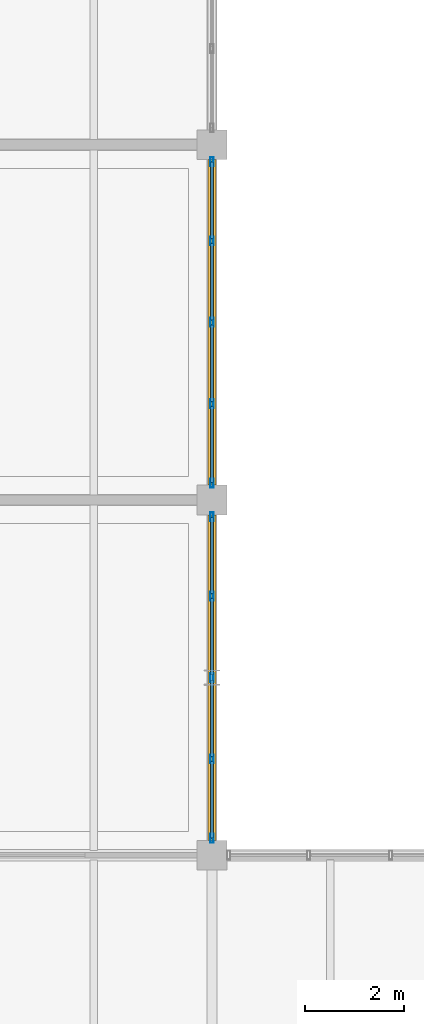
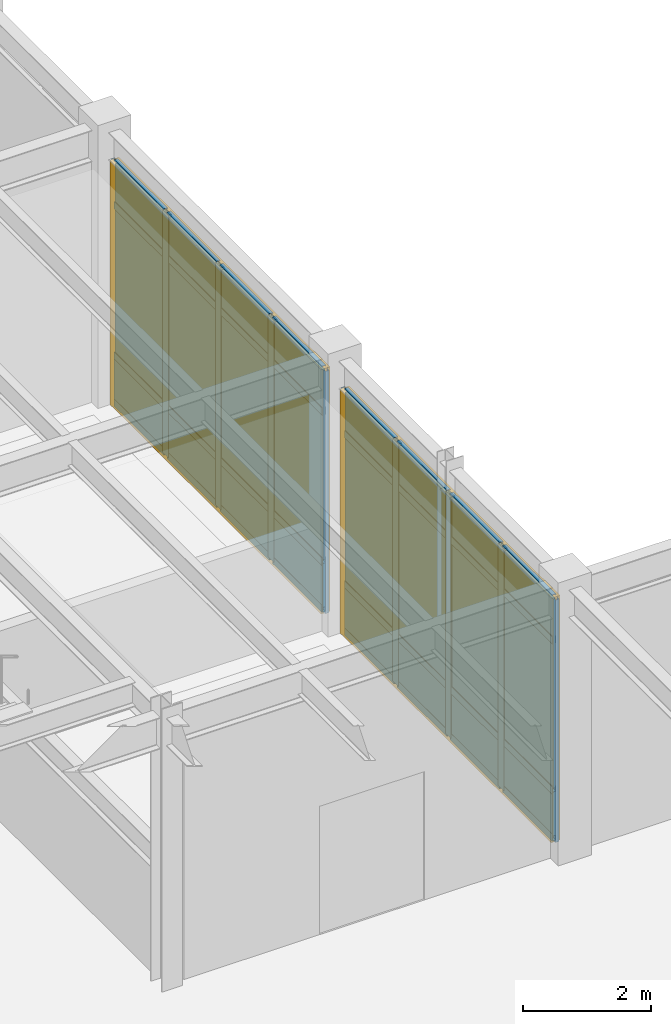
# One storey, part 81 of 97: 42 members, 16 plates, 2 curtain walls.
"""IFC4 building model written with IfcOpenShell, lengths in metres."""

from ifc_helpers import new_model, si_unit, direction, frame, origin, origin_2d, place, context, subcontext, project, spatial, rectangle, hollow_rectangle, extrude, material, layer, layer_set, material_profile, profile_set, type_object, element, aggregate, save


model = new_model("IFC4")

# Units and contexts
model_context = context("Model", 3, precision=1e-05, world=origin(), true_north=direction((0.0, 1.0)))
body_context = subcontext(model_context, "Body", "Model", "MODEL_VIEW")
ifc_project = project(units=[si_unit("LENGTHUNIT", "METRE"), si_unit("AREAUNIT", "SQUARE_METRE"), si_unit("VOLUMEUNIT", "CUBIC_METRE"), si_unit("PLANEANGLEUNIT", "RADIAN"), si_unit("MASSUNIT", "GRAM", prefix="KILO")], contexts=[model_context])

# Member
ifc_material_1 = material(Name="Anodized Aluminium 6063-T6", Category="aluminium")
ifc_material_profile_1 = material_profile(ifc_material_1, hollow_rectangle(XDim=0.06494140625, YDim=0.179931640625, WallThickness=0.00390625, at=origin_2d()), Name="ALU 65x180x4")
ifc_profile_set_1 = profile_set([ifc_material_profile_1], Name="Anodized Aluminium 6063-T6")
member_type_1 = type_object("IfcMemberType", Name="CWM-65X150", PredefinedType="MULLION", material=ifc_profile_set_1)
site_placement = place(None, origin())
building_placement = place(site_placement, origin())
storey_placement = place(building_placement, origin())
member_1_placement = place(storey_placement, frame((144.0, 35.659912109375, 0.02001953125), z_axis=(0.0, 0.0, 1.0), x_axis=(1.0, 0.0, 0.0)))
member_1 = element("IfcMember", 1, at=member_1_placement, type_object=member_type_1, Name="Curtain wall mullion CW-L01-19-04-E-00", PredefinedType="MULLION", context=body_context, shape_type="SweptSolid", body=[
    extrude(hollow_rectangle(XDim=0.06494140625, YDim=0.179931640625, WallThickness=0.00390625, at=origin_2d()), origin(), (0.0, 0.0, 1.0), 4.626953125),
])

member_2_placement = place(storey_placement, frame((144.0, 34.050048828125, 0.02001953125), z_axis=(0.0, 0.0, 1.0), x_axis=(1.0, 0.0, 0.0)))
member_2 = element("IfcMember", 2, at=member_2_placement, type_object=member_type_1, Name="Curtain wall mullion CW-L01-19-04-E-01", PredefinedType="MULLION", context=body_context, shape_type="SweptSolid", body=[
    extrude(hollow_rectangle(XDim=0.06494140625, YDim=0.179931640625, WallThickness=0.00390625, at=origin_2d()), origin(), (0.0, 0.0, 1.0), 4.626953125),
])

member_3_placement = place(storey_placement, frame((144.0, 32.39990234375, 0.02001953125), z_axis=(0.0, 0.0, 1.0), x_axis=(1.0, 0.0, 0.0)))
member_3 = element("IfcMember", 3, at=member_3_placement, type_object=member_type_1, Name="Curtain wall mullion CW-L01-19-04-E-02", PredefinedType="MULLION", context=body_context, shape_type="SweptSolid", body=[
    extrude(hollow_rectangle(XDim=0.06494140625, YDim=0.179931640625, WallThickness=0.00390625, at=origin_2d()), origin(), (0.0, 0.0, 1.0), 4.626953125),
])

member_4_placement = place(storey_placement, frame((144.0, 30.75, 0.02001953125), z_axis=(0.0, 0.0, 1.0), x_axis=(1.0, 0.0, 0.0)))
member_4 = element("IfcMember", 4, at=member_4_placement, type_object=member_type_1, Name="Curtain wall mullion CW-L01-19-04-E-03", PredefinedType="MULLION", context=body_context, shape_type="SweptSolid", body=[
    extrude(hollow_rectangle(XDim=0.06494140625, YDim=0.179931640625, WallThickness=0.00390625, at=origin_2d()), origin(), (0.0, 0.0, 1.0), 4.626953125),
])

member_5_placement = place(storey_placement, frame((144.0, 29.139892578125, 0.02001953125), z_axis=(0.0, 0.0, 1.0), x_axis=(1.0, 0.0, 0.0)))
member_5 = element("IfcMember", 5, at=member_5_placement, type_object=member_type_1, Name="Curtain wall mullion CW-L01-19-04-E-04", PredefinedType="MULLION", context=body_context, shape_type="SweptSolid", body=[
    extrude(hollow_rectangle(XDim=0.06494140625, YDim=0.179931640625, WallThickness=0.00390625, at=origin_2d()), origin(), (0.0, 0.0, 1.0), 4.626953125),
])

member_6_placement = place(storey_placement, frame((144.0, 42.860107421875, 0.02001953125), z_axis=(0.0, 0.0, 1.0), x_axis=(1.0, 0.0, 0.0)))
member_6 = element("IfcMember", 6, at=member_6_placement, type_object=member_type_1, Name="Curtain wall mullion CW-L01-19-05-E-00", PredefinedType="MULLION", context=body_context, shape_type="SweptSolid", body=[
    extrude(hollow_rectangle(XDim=0.06494140625, YDim=0.179931640625, WallThickness=0.00390625, at=origin_2d()), origin(), (0.0, 0.0, 1.0), 4.626953125),
])

member_7_placement = place(storey_placement, frame((144.0, 41.25, 0.02001953125), z_axis=(0.0, 0.0, 1.0), x_axis=(1.0, 0.0, 0.0)))
member_7 = element("IfcMember", 7, at=member_7_placement, type_object=member_type_1, Name="Curtain wall mullion CW-L01-19-05-E-01", PredefinedType="MULLION", context=body_context, shape_type="SweptSolid", body=[
    extrude(hollow_rectangle(XDim=0.06494140625, YDim=0.179931640625, WallThickness=0.00390625, at=origin_2d()), origin(), (0.0, 0.0, 1.0), 4.626953125),
])

member_8_placement = place(storey_placement, frame((144.0, 39.60009765625, 0.02001953125), z_axis=(0.0, 0.0, 1.0), x_axis=(1.0, 0.0, 0.0)))
member_8 = element("IfcMember", 8, at=member_8_placement, type_object=member_type_1, Name="Curtain wall mullion CW-L01-19-05-E-02", PredefinedType="MULLION", context=body_context, shape_type="SweptSolid", body=[
    extrude(hollow_rectangle(XDim=0.06494140625, YDim=0.179931640625, WallThickness=0.00390625, at=origin_2d()), origin(), (0.0, 0.0, 1.0), 4.626953125),
])

member_9_placement = place(storey_placement, frame((144.0, 37.949951171875, 0.02001953125), z_axis=(0.0, 0.0, 1.0), x_axis=(1.0, 0.0, 0.0)))
member_9 = element("IfcMember", 9, at=member_9_placement, type_object=member_type_1, Name="Curtain wall mullion CW-L01-19-05-E-03", PredefinedType="MULLION", context=body_context, shape_type="SweptSolid", body=[
    extrude(hollow_rectangle(XDim=0.06494140625, YDim=0.179931640625, WallThickness=0.00390625, at=origin_2d()), origin(), (0.0, 0.0, 1.0), 4.626953125),
])

member_10_placement = place(storey_placement, frame((144.0, 36.340087890625, 0.02001953125), z_axis=(0.0, 0.0, 1.0), x_axis=(1.0, 0.0, 0.0)))
member_10 = element("IfcMember", 10, at=member_10_placement, type_object=member_type_1, Name="Curtain wall mullion CW-L01-19-05-E-04", PredefinedType="MULLION", context=body_context, shape_type="SweptSolid", body=[
    extrude(hollow_rectangle(XDim=0.06494140625, YDim=0.179931640625, WallThickness=0.00390625, at=origin_2d()), origin(), (0.0, 0.0, 1.0), 4.626953125),
])

ifc_material_profile_2 = material_profile(ifc_material_1, hollow_rectangle(XDim=0.06494140625, YDim=0.139892578125, WallThickness=0.00390625, at=origin_2d()), Name="ALU 65x140x4")
ifc_profile_set_2 = profile_set([ifc_material_profile_2], Name="Anodized Aluminium 6063-T6")
member_type_2 = type_object("IfcMemberType", Name="CWT-65X120", PredefinedType="USERDEFINED", material=ifc_profile_set_2)
member_11_placement = place(storey_placement, frame((144.0, 35.64990234375, 0.050048828125), z_axis=(0.0, -1.0, 0.0), x_axis=(1.0, 0.0, 0.0)))
member_11 = element("IfcMember", 11, at=member_11_placement, type_object=member_type_2, Name="Curtain wall transom CW-L01-19-04-E-1.01", ObjectType="TRANSOM", PredefinedType="USERDEFINED", context=body_context, shape_type="SweptSolid", body=[
    extrude(hollow_rectangle(XDim=0.06494140625, YDim=0.139892578125, WallThickness=0.00390625, at=origin_2d()), origin(), (0.0, 0.0, 1.0), 1.5498046875),
])

member_12_placement = place(storey_placement, frame((144.0, 34.0, 0.050048828125), z_axis=(0.0, -1.0, 0.0), x_axis=(1.0, 0.0, 0.0)))
member_12 = element("IfcMember", 12, at=member_12_placement, type_object=member_type_2, Name="Curtain wall transom CW-L01-19-04-E-1.02", ObjectType="TRANSOM", PredefinedType="USERDEFINED", context=body_context, shape_type="SweptSolid", body=[
    extrude(hollow_rectangle(XDim=0.06494140625, YDim=0.139892578125, WallThickness=0.00390625, at=origin_2d()), origin(), (0.0, 0.0, 1.0), 1.550048828125),
])

member_13_placement = place(storey_placement, frame((144.0, 32.35009765625, 0.050048828125), z_axis=(0.0, -1.0, 0.0), x_axis=(1.0, 0.0, 0.0)))
member_13 = element("IfcMember", 13, at=member_13_placement, type_object=member_type_2, Name="Curtain wall transom CW-L01-19-04-E-1.03", ObjectType="TRANSOM", PredefinedType="USERDEFINED", context=body_context, shape_type="SweptSolid", body=[
    extrude(hollow_rectangle(XDim=0.06494140625, YDim=0.139892578125, WallThickness=0.00390625, at=origin_2d()), origin(), (0.0, 0.0, 1.0), 1.550048828125),
])

member_14_placement = place(storey_placement, frame((144.0, 30.699951171875, 0.050048828125), z_axis=(0.0, -1.0, 0.0), x_axis=(1.0, 0.0, 0.0)))
member_14 = element("IfcMember", 14, at=member_14_placement, type_object=member_type_2, Name="Curtain wall transom CW-L01-19-04-E-1.04", ObjectType="TRANSOM", PredefinedType="USERDEFINED", context=body_context, shape_type="SweptSolid", body=[
    extrude(hollow_rectangle(XDim=0.06494140625, YDim=0.139892578125, WallThickness=0.00390625, at=origin_2d()), origin(), (0.0, 0.0, 1.0), 1.550048828125),
])

member_15_placement = place(storey_placement, frame((144.0, 35.64990234375, 0.949951171875), z_axis=(0.0, -1.0, 0.0), x_axis=(1.0, 0.0, 0.0)))
member_15 = element("IfcMember", 15, at=member_15_placement, type_object=member_type_2, Name="Curtain wall transom CW-L01-19-04-E-2.01", ObjectType="TRANSOM", PredefinedType="USERDEFINED", context=body_context, shape_type="SweptSolid", body=[
    extrude(hollow_rectangle(XDim=0.06494140625, YDim=0.139892578125, WallThickness=0.00390625, at=origin_2d()), origin(), (0.0, 0.0, 1.0), 1.5498046875),
])

member_16_placement = place(storey_placement, frame((144.0, 34.0, 0.949951171875), z_axis=(0.0, -1.0, 0.0), x_axis=(1.0, 0.0, 0.0)))
member_16 = element("IfcMember", 16, at=member_16_placement, type_object=member_type_2, Name="Curtain wall transom CW-L01-19-04-E-2.02", ObjectType="TRANSOM", PredefinedType="USERDEFINED", context=body_context, shape_type="SweptSolid", body=[
    extrude(hollow_rectangle(XDim=0.06494140625, YDim=0.139892578125, WallThickness=0.00390625, at=origin_2d()), origin(), (0.0, 0.0, 1.0), 1.550048828125),
])

member_17_placement = place(storey_placement, frame((144.0, 32.35009765625, 0.949951171875), z_axis=(0.0, -1.0, 0.0), x_axis=(1.0, 0.0, 0.0)))
member_17 = element("IfcMember", 17, at=member_17_placement, type_object=member_type_2, Name="Curtain wall transom CW-L01-19-04-E-2.03", ObjectType="TRANSOM", PredefinedType="USERDEFINED", context=body_context, shape_type="SweptSolid", body=[
    extrude(hollow_rectangle(XDim=0.06494140625, YDim=0.139892578125, WallThickness=0.00390625, at=origin_2d()), origin(), (0.0, 0.0, 1.0), 1.550048828125),
])

member_18_placement = place(storey_placement, frame((144.0, 30.699951171875, 0.949951171875), z_axis=(0.0, -1.0, 0.0), x_axis=(1.0, 0.0, 0.0)))
member_18 = element("IfcMember", 18, at=member_18_placement, type_object=member_type_2, Name="Curtain wall transom CW-L01-19-04-E-2.04", ObjectType="TRANSOM", PredefinedType="USERDEFINED", context=body_context, shape_type="SweptSolid", body=[
    extrude(hollow_rectangle(XDim=0.06494140625, YDim=0.139892578125, WallThickness=0.00390625, at=origin_2d()), origin(), (0.0, 0.0, 1.0), 1.550048828125),
])

member_19_placement = place(storey_placement, frame((144.0, 35.64990234375, 3.81689453125), z_axis=(0.0, -1.0, 0.0), x_axis=(1.0, 0.0, 0.0)))
member_19 = element("IfcMember", 19, at=member_19_placement, type_object=member_type_2, Name="Curtain wall transom CW-L01-19-04-E-3.01", ObjectType="TRANSOM", PredefinedType="USERDEFINED", context=body_context, shape_type="SweptSolid", body=[
    extrude(hollow_rectangle(XDim=0.06494140625, YDim=0.139892578125, WallThickness=0.00390625, at=origin_2d()), origin(), (0.0, 0.0, 1.0), 1.5498046875),
])

member_20_placement = place(storey_placement, frame((144.0, 34.0, 3.81689453125), z_axis=(0.0, -1.0, 0.0), x_axis=(1.0, 0.0, 0.0)))
member_20 = element("IfcMember", 20, at=member_20_placement, type_object=member_type_2, Name="Curtain wall transom CW-L01-19-04-E-3.02", ObjectType="TRANSOM", PredefinedType="USERDEFINED", context=body_context, shape_type="SweptSolid", body=[
    extrude(hollow_rectangle(XDim=0.06494140625, YDim=0.139892578125, WallThickness=0.00390625, at=origin_2d()), origin(), (0.0, 0.0, 1.0), 1.550048828125),
])

member_21_placement = place(storey_placement, frame((144.0, 32.35009765625, 3.81689453125), z_axis=(0.0, -1.0, 0.0), x_axis=(1.0, 0.0, 0.0)))
member_21 = element("IfcMember", 21, at=member_21_placement, type_object=member_type_2, Name="Curtain wall transom CW-L01-19-04-E-3.03", ObjectType="TRANSOM", PredefinedType="USERDEFINED", context=body_context, shape_type="SweptSolid", body=[
    extrude(hollow_rectangle(XDim=0.06494140625, YDim=0.139892578125, WallThickness=0.00390625, at=origin_2d()), origin(), (0.0, 0.0, 1.0), 1.550048828125),
])

member_22_placement = place(storey_placement, frame((144.0, 30.699951171875, 3.81689453125), z_axis=(0.0, -1.0, 0.0), x_axis=(1.0, 0.0, 0.0)))
member_22 = element("IfcMember", 22, at=member_22_placement, type_object=member_type_2, Name="Curtain wall transom CW-L01-19-04-E-3.04", ObjectType="TRANSOM", PredefinedType="USERDEFINED", context=body_context, shape_type="SweptSolid", body=[
    extrude(hollow_rectangle(XDim=0.06494140625, YDim=0.139892578125, WallThickness=0.00390625, at=origin_2d()), origin(), (0.0, 0.0, 1.0), 1.550048828125),
])

member_23_placement = place(storey_placement, frame((144.0, 35.64990234375, 4.616943359375), z_axis=(0.0, -1.0, 0.0), x_axis=(1.0, 0.0, 0.0)))
member_23 = element("IfcMember", 23, at=member_23_placement, type_object=member_type_2, Name="Curtain wall transom CW-L01-19-04-E-4.01", ObjectType="TRANSOM", PredefinedType="USERDEFINED", context=body_context, shape_type="SweptSolid", body=[
    extrude(hollow_rectangle(XDim=0.06494140625, YDim=0.139892578125, WallThickness=0.00390625, at=origin_2d()), origin(), (0.0, 0.0, 1.0), 1.5498046875),
])

member_24_placement = place(storey_placement, frame((144.0, 34.0, 4.616943359375), z_axis=(0.0, -1.0, 0.0), x_axis=(1.0, 0.0, 0.0)))
member_24 = element("IfcMember", 24, at=member_24_placement, type_object=member_type_2, Name="Curtain wall transom CW-L01-19-04-E-4.02", ObjectType="TRANSOM", PredefinedType="USERDEFINED", context=body_context, shape_type="SweptSolid", body=[
    extrude(hollow_rectangle(XDim=0.06494140625, YDim=0.139892578125, WallThickness=0.00390625, at=origin_2d()), origin(), (0.0, 0.0, 1.0), 1.550048828125),
])

member_25_placement = place(storey_placement, frame((144.0, 32.35009765625, 4.616943359375), z_axis=(0.0, -1.0, 0.0), x_axis=(1.0, 0.0, 0.0)))
member_25 = element("IfcMember", 25, at=member_25_placement, type_object=member_type_2, Name="Curtain wall transom CW-L01-19-04-E-4.03", ObjectType="TRANSOM", PredefinedType="USERDEFINED", context=body_context, shape_type="SweptSolid", body=[
    extrude(hollow_rectangle(XDim=0.06494140625, YDim=0.139892578125, WallThickness=0.00390625, at=origin_2d()), origin(), (0.0, 0.0, 1.0), 1.550048828125),
])

member_26_placement = place(storey_placement, frame((144.0, 30.699951171875, 4.616943359375), z_axis=(0.0, -1.0, 0.0), x_axis=(1.0, 0.0, 0.0)))
member_26 = element("IfcMember", 26, at=member_26_placement, type_object=member_type_2, Name="Curtain wall transom CW-L01-19-04-E-4.04", ObjectType="TRANSOM", PredefinedType="USERDEFINED", context=body_context, shape_type="SweptSolid", body=[
    extrude(hollow_rectangle(XDim=0.06494140625, YDim=0.139892578125, WallThickness=0.00390625, at=origin_2d()), origin(), (0.0, 0.0, 1.0), 1.550048828125),
])

member_27_placement = place(storey_placement, frame((144.0, 42.85009765625, 0.050048828125), z_axis=(0.0, -1.0, 0.0), x_axis=(1.0, 0.0, 0.0)))
member_27 = element("IfcMember", 27, at=member_27_placement, type_object=member_type_2, Name="Curtain wall transom CW-L01-19-05-E-1.01", ObjectType="TRANSOM", PredefinedType="USERDEFINED", context=body_context, shape_type="SweptSolid", body=[
    extrude(hollow_rectangle(XDim=0.06494140625, YDim=0.139892578125, WallThickness=0.00390625, at=origin_2d()), origin(), (0.0, 0.0, 1.0), 1.550048828125),
])

member_28_placement = place(storey_placement, frame((144.0, 41.199951171875, 0.050048828125), z_axis=(0.0, -1.0, 0.0), x_axis=(1.0, 0.0, 0.0)))
member_28 = element("IfcMember", 28, at=member_28_placement, type_object=member_type_2, Name="Curtain wall transom CW-L01-19-05-E-1.02", ObjectType="TRANSOM", PredefinedType="USERDEFINED", context=body_context, shape_type="SweptSolid", body=[
    extrude(hollow_rectangle(XDim=0.06494140625, YDim=0.139892578125, WallThickness=0.00390625, at=origin_2d()), origin(), (0.0, 0.0, 1.0), 1.550048828125),
])

member_29_placement = place(storey_placement, frame((144.0, 39.550048828125, 0.050048828125), z_axis=(0.0, -1.0, 0.0), x_axis=(1.0, 0.0, 0.0)))
member_29 = element("IfcMember", 29, at=member_29_placement, type_object=member_type_2, Name="Curtain wall transom CW-L01-19-05-E-1.03", ObjectType="TRANSOM", PredefinedType="USERDEFINED", context=body_context, shape_type="SweptSolid", body=[
    extrude(hollow_rectangle(XDim=0.06494140625, YDim=0.139892578125, WallThickness=0.00390625, at=origin_2d()), origin(), (0.0, 0.0, 1.0), 1.550048828125),
])

member_30_placement = place(storey_placement, frame((144.0, 37.89990234375, 0.050048828125), z_axis=(0.0, -1.0, 0.0), x_axis=(1.0, 0.0, 0.0)))
member_30 = element("IfcMember", 30, at=member_30_placement, type_object=member_type_2, Name="Curtain wall transom CW-L01-19-05-E-1.04", ObjectType="TRANSOM", PredefinedType="USERDEFINED", context=body_context, shape_type="SweptSolid", body=[
    extrude(hollow_rectangle(XDim=0.06494140625, YDim=0.139892578125, WallThickness=0.00390625, at=origin_2d()), origin(), (0.0, 0.0, 1.0), 1.5498046875),
])

member_31_placement = place(storey_placement, frame((144.0, 42.85009765625, 0.949951171875), z_axis=(0.0, -1.0, 0.0), x_axis=(1.0, 0.0, 0.0)))
member_31 = element("IfcMember", 31, at=member_31_placement, type_object=member_type_2, Name="Curtain wall transom CW-L01-19-05-E-2.01", ObjectType="TRANSOM", PredefinedType="USERDEFINED", context=body_context, shape_type="SweptSolid", body=[
    extrude(hollow_rectangle(XDim=0.06494140625, YDim=0.139892578125, WallThickness=0.00390625, at=origin_2d()), origin(), (0.0, 0.0, 1.0), 1.550048828125),
])

member_32_placement = place(storey_placement, frame((144.0, 41.199951171875, 0.949951171875), z_axis=(0.0, -1.0, 0.0), x_axis=(1.0, 0.0, 0.0)))
member_32 = element("IfcMember", 32, at=member_32_placement, type_object=member_type_2, Name="Curtain wall transom CW-L01-19-05-E-2.02", ObjectType="TRANSOM", PredefinedType="USERDEFINED", context=body_context, shape_type="SweptSolid", body=[
    extrude(hollow_rectangle(XDim=0.06494140625, YDim=0.139892578125, WallThickness=0.00390625, at=origin_2d()), origin(), (0.0, 0.0, 1.0), 1.550048828125),
])

member_33_placement = place(storey_placement, frame((144.0, 39.550048828125, 0.949951171875), z_axis=(0.0, -1.0, 0.0), x_axis=(1.0, 0.0, 0.0)))
member_33 = element("IfcMember", 33, at=member_33_placement, type_object=member_type_2, Name="Curtain wall transom CW-L01-19-05-E-2.03", ObjectType="TRANSOM", PredefinedType="USERDEFINED", context=body_context, shape_type="SweptSolid", body=[
    extrude(hollow_rectangle(XDim=0.06494140625, YDim=0.139892578125, WallThickness=0.00390625, at=origin_2d()), origin(), (0.0, 0.0, 1.0), 1.550048828125),
])

member_34_placement = place(storey_placement, frame((144.0, 37.89990234375, 0.949951171875), z_axis=(0.0, -1.0, 0.0), x_axis=(1.0, 0.0, 0.0)))
member_34 = element("IfcMember", 34, at=member_34_placement, type_object=member_type_2, Name="Curtain wall transom CW-L01-19-05-E-2.04", ObjectType="TRANSOM", PredefinedType="USERDEFINED", context=body_context, shape_type="SweptSolid", body=[
    extrude(hollow_rectangle(XDim=0.06494140625, YDim=0.139892578125, WallThickness=0.00390625, at=origin_2d()), origin(), (0.0, 0.0, 1.0), 1.5498046875),
])

member_35_placement = place(storey_placement, frame((144.0, 42.85009765625, 3.81689453125), z_axis=(0.0, -1.0, 0.0), x_axis=(1.0, 0.0, 0.0)))
member_35 = element("IfcMember", 35, at=member_35_placement, type_object=member_type_2, Name="Curtain wall transom CW-L01-19-05-E-3.01", ObjectType="TRANSOM", PredefinedType="USERDEFINED", context=body_context, shape_type="SweptSolid", body=[
    extrude(hollow_rectangle(XDim=0.06494140625, YDim=0.139892578125, WallThickness=0.00390625, at=origin_2d()), origin(), (0.0, 0.0, 1.0), 1.550048828125),
])

member_36_placement = place(storey_placement, frame((144.0, 41.199951171875, 3.81689453125), z_axis=(0.0, -1.0, 0.0), x_axis=(1.0, 0.0, 0.0)))
member_36 = element("IfcMember", 36, at=member_36_placement, type_object=member_type_2, Name="Curtain wall transom CW-L01-19-05-E-3.02", ObjectType="TRANSOM", PredefinedType="USERDEFINED", context=body_context, shape_type="SweptSolid", body=[
    extrude(hollow_rectangle(XDim=0.06494140625, YDim=0.139892578125, WallThickness=0.00390625, at=origin_2d()), origin(), (0.0, 0.0, 1.0), 1.550048828125),
])

member_37_placement = place(storey_placement, frame((144.0, 39.550048828125, 3.81689453125), z_axis=(0.0, -1.0, 0.0), x_axis=(1.0, 0.0, 0.0)))
member_37 = element("IfcMember", 37, at=member_37_placement, type_object=member_type_2, Name="Curtain wall transom CW-L01-19-05-E-3.03", ObjectType="TRANSOM", PredefinedType="USERDEFINED", context=body_context, shape_type="SweptSolid", body=[
    extrude(hollow_rectangle(XDim=0.06494140625, YDim=0.139892578125, WallThickness=0.00390625, at=origin_2d()), origin(), (0.0, 0.0, 1.0), 1.550048828125),
])

member_38_placement = place(storey_placement, frame((144.0, 37.89990234375, 3.81689453125), z_axis=(0.0, -1.0, 0.0), x_axis=(1.0, 0.0, 0.0)))
member_38 = element("IfcMember", 38, at=member_38_placement, type_object=member_type_2, Name="Curtain wall transom CW-L01-19-05-E-3.04", ObjectType="TRANSOM", PredefinedType="USERDEFINED", context=body_context, shape_type="SweptSolid", body=[
    extrude(hollow_rectangle(XDim=0.06494140625, YDim=0.139892578125, WallThickness=0.00390625, at=origin_2d()), origin(), (0.0, 0.0, 1.0), 1.5498046875),
])

member_39_placement = place(storey_placement, frame((144.0, 42.85009765625, 4.616943359375), z_axis=(0.0, -1.0, 0.0), x_axis=(1.0, 0.0, 0.0)))
member_39 = element("IfcMember", 39, at=member_39_placement, type_object=member_type_2, Name="Curtain wall transom CW-L01-19-05-E-4.01", ObjectType="TRANSOM", PredefinedType="USERDEFINED", context=body_context, shape_type="SweptSolid", body=[
    extrude(hollow_rectangle(XDim=0.06494140625, YDim=0.139892578125, WallThickness=0.00390625, at=origin_2d()), origin(), (0.0, 0.0, 1.0), 1.550048828125),
])

member_40_placement = place(storey_placement, frame((144.0, 41.199951171875, 4.616943359375), z_axis=(0.0, -1.0, 0.0), x_axis=(1.0, 0.0, 0.0)))
member_40 = element("IfcMember", 40, at=member_40_placement, type_object=member_type_2, Name="Curtain wall transom CW-L01-19-05-E-4.02", ObjectType="TRANSOM", PredefinedType="USERDEFINED", context=body_context, shape_type="SweptSolid", body=[
    extrude(hollow_rectangle(XDim=0.06494140625, YDim=0.139892578125, WallThickness=0.00390625, at=origin_2d()), origin(), (0.0, 0.0, 1.0), 1.550048828125),
])

member_41_placement = place(storey_placement, frame((144.0, 39.550048828125, 4.616943359375), z_axis=(0.0, -1.0, 0.0), x_axis=(1.0, 0.0, 0.0)))
member_41 = element("IfcMember", 41, at=member_41_placement, type_object=member_type_2, Name="Curtain wall transom CW-L01-19-05-E-4.03", ObjectType="TRANSOM", PredefinedType="USERDEFINED", context=body_context, shape_type="SweptSolid", body=[
    extrude(hollow_rectangle(XDim=0.06494140625, YDim=0.139892578125, WallThickness=0.00390625, at=origin_2d()), origin(), (0.0, 0.0, 1.0), 1.550048828125),
])

member_42_placement = place(storey_placement, frame((144.0, 37.89990234375, 4.616943359375), z_axis=(0.0, -1.0, 0.0), x_axis=(1.0, 0.0, 0.0)))
member_42 = element("IfcMember", 42, at=member_42_placement, type_object=member_type_2, Name="Curtain wall transom CW-L01-19-05-E-4.04", ObjectType="TRANSOM", PredefinedType="USERDEFINED", context=body_context, shape_type="SweptSolid", body=[
    extrude(hollow_rectangle(XDim=0.06494140625, YDim=0.139892578125, WallThickness=0.00390625, at=origin_2d()), origin(), (0.0, 0.0, 1.0), 1.5498046875),
])

# Plate
ifc_material_2 = material(Name="Double Low-E Insulated Glazing Unit", Category="glass")
ifc_layer_1 = layer(ifc_material_2, 0.0380859375)
ifc_layer_set_1 = layer_set([ifc_layer_1], Name="Double Low-E Insulated Glazing Unit")
plate_type_1 = type_object("IfcPlateType", Name="CWP-IGU-38", PredefinedType="CURTAIN_PANEL", material=ifc_layer_set_1)
plate_1_placement = place(storey_placement, frame((144.0, 34.875, 0.990234375), z_axis=(0.0, 0.0, 1.0), x_axis=(0.0, -1.0, 0.0)))
plate_1 = element("IfcPlate", 43, at=plate_1_placement, type_object=plate_type_1, Name="Curtain wall vision glazing CW-L01-19-04-E-01", PredefinedType="CURTAIN_PANEL", context=body_context, shape_type="SweptSolid", body=[
    extrude(rectangle(XDim=1.56005859375, YDim=0.0400390625, at=origin_2d()), origin(), (0.0, 0.0, 1.0), 3.616943359375),
])

plate_2_placement = place(storey_placement, frame((144.0, 33.22509765625, 0.990234375), z_axis=(0.0, 0.0, 1.0), x_axis=(0.0, -1.0, 0.0)))
plate_2 = element("IfcPlate", 44, at=plate_2_placement, type_object=plate_type_1, Name="Curtain wall vision glazing CW-L01-19-04-E-02", PredefinedType="CURTAIN_PANEL", context=body_context, shape_type="SweptSolid", body=[
    extrude(rectangle(XDim=1.56005859375, YDim=0.0400390625, at=origin_2d()), origin(), (0.0, 0.0, 1.0), 3.616943359375),
])

plate_3_placement = place(storey_placement, frame((144.0, 31.574951171875, 0.990234375), z_axis=(0.0, 0.0, 1.0), x_axis=(0.0, -1.0, 0.0)))
plate_3 = element("IfcPlate", 45, at=plate_3_placement, type_object=plate_type_1, Name="Curtain wall vision glazing CW-L01-19-04-E-03", PredefinedType="CURTAIN_PANEL", context=body_context, shape_type="SweptSolid", body=[
    extrude(rectangle(XDim=1.56005859375, YDim=0.0400390625, at=origin_2d()), origin(), (0.0, 0.0, 1.0), 3.616943359375),
])

plate_4_placement = place(storey_placement, frame((144.0, 29.925048828125, 0.990234375), z_axis=(0.0, 0.0, 1.0), x_axis=(0.0, -1.0, 0.0)))
plate_4 = element("IfcPlate", 46, at=plate_4_placement, type_object=plate_type_1, Name="Curtain wall vision glazing CW-L01-19-04-E-04", PredefinedType="CURTAIN_PANEL", context=body_context, shape_type="SweptSolid", body=[
    extrude(rectangle(XDim=1.56005859375, YDim=0.0400390625, at=origin_2d()), origin(), (0.0, 0.0, 1.0), 3.616943359375),
])

plate_5_placement = place(storey_placement, frame((144.0, 42.074951171875, 0.990234375), z_axis=(0.0, 0.0, 1.0), x_axis=(0.0, -1.0, 0.0)))
plate_5 = element("IfcPlate", 47, at=plate_5_placement, type_object=plate_type_1, Name="Curtain wall vision glazing CW-L01-19-05-E-01", PredefinedType="CURTAIN_PANEL", context=body_context, shape_type="SweptSolid", body=[
    extrude(rectangle(XDim=1.56005859375, YDim=0.0400390625, at=origin_2d()), origin(), (0.0, 0.0, 1.0), 3.616943359375),
])

plate_6_placement = place(storey_placement, frame((144.0, 40.425048828125, 0.990234375), z_axis=(0.0, 0.0, 1.0), x_axis=(0.0, -1.0, 0.0)))
plate_6 = element("IfcPlate", 48, at=plate_6_placement, type_object=plate_type_1, Name="Curtain wall vision glazing CW-L01-19-05-E-02", PredefinedType="CURTAIN_PANEL", context=body_context, shape_type="SweptSolid", body=[
    extrude(rectangle(XDim=1.56005859375, YDim=0.0400390625, at=origin_2d()), origin(), (0.0, 0.0, 1.0), 3.616943359375),
])

plate_7_placement = place(storey_placement, frame((144.0, 38.77490234375, 0.990234375), z_axis=(0.0, 0.0, 1.0), x_axis=(0.0, -1.0, 0.0)))
plate_7 = element("IfcPlate", 49, at=plate_7_placement, type_object=plate_type_1, Name="Curtain wall vision glazing CW-L01-19-05-E-03", PredefinedType="CURTAIN_PANEL", context=body_context, shape_type="SweptSolid", body=[
    extrude(rectangle(XDim=1.56005859375, YDim=0.0400390625, at=origin_2d()), origin(), (0.0, 0.0, 1.0), 3.616943359375),
])

plate_8_placement = place(storey_placement, frame((144.0, 37.125, 0.990234375), z_axis=(0.0, 0.0, 1.0), x_axis=(0.0, -1.0, 0.0)))
plate_8 = element("IfcPlate", 50, at=plate_8_placement, type_object=plate_type_1, Name="Curtain wall vision glazing CW-L01-19-05-E-04", PredefinedType="CURTAIN_PANEL", context=body_context, shape_type="SweptSolid", body=[
    extrude(rectangle(XDim=1.56005859375, YDim=0.0400390625, at=origin_2d()), origin(), (0.0, 0.0, 1.0), 3.616943359375),
])

ifc_material_3 = material(Name="Insulated Bronze Aluminium Spandrel", Category="aluminium")
ifc_layer_2 = layer(ifc_material_3, 0.06005859375)
ifc_layer_set_2 = layer_set([ifc_layer_2], Name="Insulated Bronze Aluminium Spandrel")
plate_type_2 = type_object("IfcPlateType", Name="CWP-SPN-60", PredefinedType="CURTAIN_PANEL", material=ifc_layer_set_2)
plate_9_placement = place(storey_placement, frame((144.0, 34.875, 0.080078125), z_axis=(0.0, 0.0, 1.0), x_axis=(0.0, -1.0, 0.0)))
plate_9 = element("IfcPlate", 51, at=plate_9_placement, type_object=plate_type_2, Name="Curtain wall spandrel panel CW-L01-19-04-E-01", PredefinedType="CURTAIN_PANEL", context=body_context, shape_type="SweptSolid", body=[
    extrude(rectangle(XDim=1.56005859375, YDim=0.06005859375, at=origin_2d()), origin(), (0.0, 0.0, 1.0), 0.840087890625),
])

plate_10_placement = place(storey_placement, frame((144.0, 33.22509765625, 0.080078125), z_axis=(0.0, 0.0, 1.0), x_axis=(0.0, -1.0, 0.0)))
plate_10 = element("IfcPlate", 52, at=plate_10_placement, type_object=plate_type_2, Name="Curtain wall spandrel panel CW-L01-19-04-E-02", PredefinedType="CURTAIN_PANEL", context=body_context, shape_type="SweptSolid", body=[
    extrude(rectangle(XDim=1.56005859375, YDim=0.06005859375, at=origin_2d()), origin(), (0.0, 0.0, 1.0), 0.840087890625),
])

plate_11_placement = place(storey_placement, frame((144.0, 31.574951171875, 0.080078125), z_axis=(0.0, 0.0, 1.0), x_axis=(0.0, -1.0, 0.0)))
plate_11 = element("IfcPlate", 53, at=plate_11_placement, type_object=plate_type_2, Name="Curtain wall spandrel panel CW-L01-19-04-E-03", PredefinedType="CURTAIN_PANEL", context=body_context, shape_type="SweptSolid", body=[
    extrude(rectangle(XDim=1.56005859375, YDim=0.06005859375, at=origin_2d()), origin(), (0.0, 0.0, 1.0), 0.840087890625),
])

plate_12_placement = place(storey_placement, frame((144.0, 29.925048828125, 0.080078125), z_axis=(0.0, 0.0, 1.0), x_axis=(0.0, -1.0, 0.0)))
plate_12 = element("IfcPlate", 54, at=plate_12_placement, type_object=plate_type_2, Name="Curtain wall spandrel panel CW-L01-19-04-E-04", PredefinedType="CURTAIN_PANEL", context=body_context, shape_type="SweptSolid", body=[
    extrude(rectangle(XDim=1.56005859375, YDim=0.06005859375, at=origin_2d()), origin(), (0.0, 0.0, 1.0), 0.840087890625),
])

plate_13_placement = place(storey_placement, frame((144.0, 42.074951171875, 0.080078125), z_axis=(0.0, 0.0, 1.0), x_axis=(0.0, -1.0, 0.0)))
plate_13 = element("IfcPlate", 55, at=plate_13_placement, type_object=plate_type_2, Name="Curtain wall spandrel panel CW-L01-19-05-E-01", PredefinedType="CURTAIN_PANEL", context=body_context, shape_type="SweptSolid", body=[
    extrude(rectangle(XDim=1.56005859375, YDim=0.06005859375, at=origin_2d()), origin(), (0.0, 0.0, 1.0), 0.840087890625),
])

plate_14_placement = place(storey_placement, frame((144.0, 40.425048828125, 0.080078125), z_axis=(0.0, 0.0, 1.0), x_axis=(0.0, -1.0, 0.0)))
plate_14 = element("IfcPlate", 56, at=plate_14_placement, type_object=plate_type_2, Name="Curtain wall spandrel panel CW-L01-19-05-E-02", PredefinedType="CURTAIN_PANEL", context=body_context, shape_type="SweptSolid", body=[
    extrude(rectangle(XDim=1.56005859375, YDim=0.06005859375, at=origin_2d()), origin(), (0.0, 0.0, 1.0), 0.840087890625),
])

plate_15_placement = place(storey_placement, frame((144.0, 38.77490234375, 0.080078125), z_axis=(0.0, 0.0, 1.0), x_axis=(0.0, -1.0, 0.0)))
plate_15 = element("IfcPlate", 57, at=plate_15_placement, type_object=plate_type_2, Name="Curtain wall spandrel panel CW-L01-19-05-E-03", PredefinedType="CURTAIN_PANEL", context=body_context, shape_type="SweptSolid", body=[
    extrude(rectangle(XDim=1.56005859375, YDim=0.06005859375, at=origin_2d()), origin(), (0.0, 0.0, 1.0), 0.840087890625),
])

plate_16_placement = place(storey_placement, frame((144.0, 37.125, 0.080078125), z_axis=(0.0, 0.0, 1.0), x_axis=(0.0, -1.0, 0.0)))
plate_16 = element("IfcPlate", 58, at=plate_16_placement, type_object=plate_type_2, Name="Curtain wall spandrel panel CW-L01-19-05-E-04", PredefinedType="CURTAIN_PANEL", context=body_context, shape_type="SweptSolid", body=[
    extrude(rectangle(XDim=1.56005859375, YDim=0.06005859375, at=origin_2d()), origin(), (0.0, 0.0, 1.0), 0.840087890625),
])

# Site, building, storey
site = spatial("IfcSite", under=ifc_project, at=site_placement, CompositionType="ELEMENT")
building = spatial("IfcBuilding", under=site, at=building_placement, Name="Sillqori Civic Hall", CompositionType="ELEMENT")
storey = spatial("IfcBuildingStorey", under=building, at=storey_placement, Name="L01", CompositionType="ELEMENT", Elevation=0.0)

# Curtain wall
ifc_material_4 = material(Name="Anodized Aluminium Curtain Wall System", Category="aluminium")
curtain_wall_type = type_object("IfcCurtainWallType", Name="CW-SF-540", PredefinedType="NOTDEFINED", material=ifc_material_4)
curtain_wall_1_placement = place(storey_placement, frame((144.0, 32.39990234375, 0.0), z_axis=(0.0, 0.0, 1.0), x_axis=(0.0, -1.0, 0.0)))
curtain_wall_1 = element("IfcCurtainWall", 59, at=curtain_wall_1_placement, inside=storey, type_object=curtain_wall_type, Name="L01 unitised curtain wall CW-L01-19-04-E", PredefinedType="NOTDEFINED", context=body_context, shape_type="SweptSolid", body=[
    extrude(rectangle(XDim=6.60009765625, YDim=0.159912109375, at=origin_2d()), origin(), (0.0, 0.0, 1.0), 4.6669921875),
])

aggregate(curtain_wall_1, [member_1, member_2, member_3, member_4, member_5, member_11, member_12, member_13, member_14, member_15, member_16, member_17, member_18, member_19, member_20, member_21, member_22, member_23, member_24, member_25, member_26, plate_9, plate_1, plate_10, plate_2, plate_11, plate_3, plate_12, plate_4])

curtain_wall_2_placement = place(storey_placement, frame((144.0, 39.60009765625, 0.0), z_axis=(0.0, 0.0, 1.0), x_axis=(0.0, -1.0, 0.0)))
curtain_wall_2 = element("IfcCurtainWall", 60, at=curtain_wall_2_placement, inside=storey, type_object=curtain_wall_type, Name="L01 unitised curtain wall CW-L01-19-05-E", PredefinedType="NOTDEFINED", context=body_context, shape_type="SweptSolid", body=[
    extrude(rectangle(XDim=6.60009765625, YDim=0.159912109375, at=origin_2d()), origin(), (0.0, 0.0, 1.0), 4.6669921875),
])

aggregate(curtain_wall_2, [member_6, member_7, member_8, member_9, member_10, member_27, member_28, member_29, member_30, member_31, member_32, member_33, member_34, member_35, member_36, member_37, member_38, member_39, member_40, member_41, member_42, plate_13, plate_5, plate_14, plate_6, plate_15, plate_7, plate_16, plate_8])

save(model, "model.ifc")
